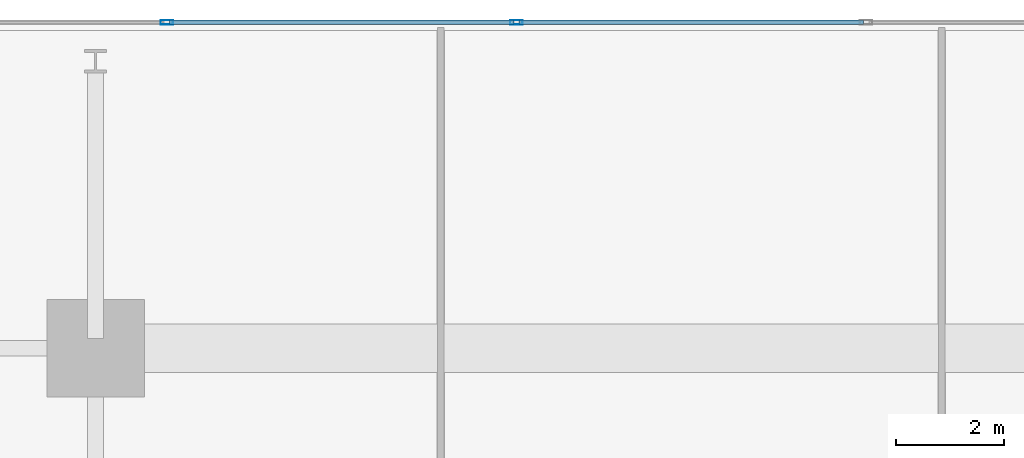
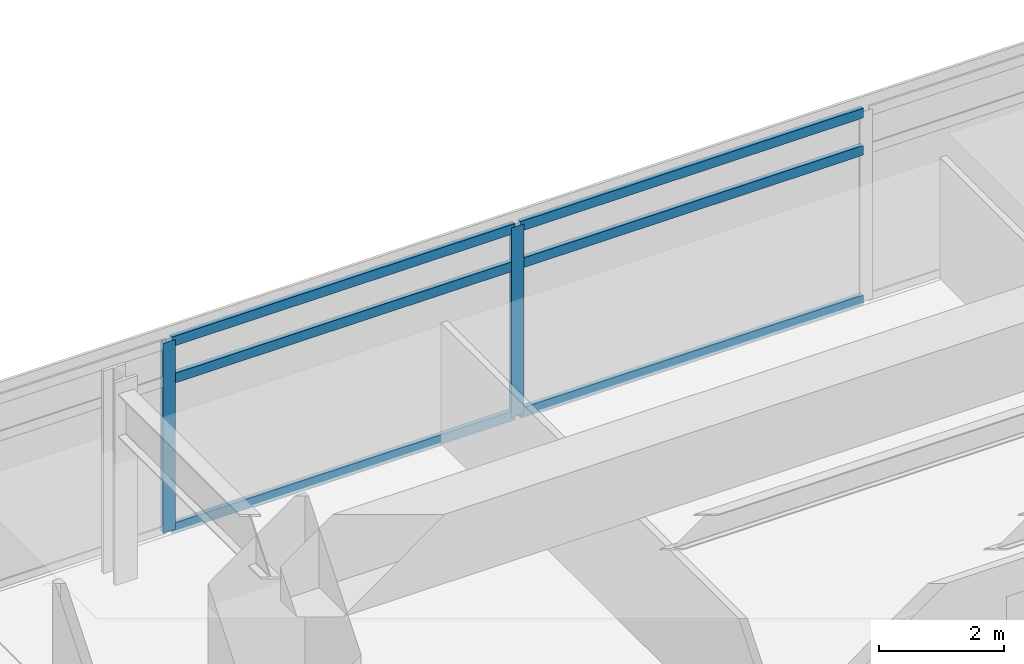
# One storey, part 11 of 22: 8 members, 1 element without a shape of its own.
"""IFC4 building model written with IfcOpenShell, lengths in metres."""

import ifcopenshell
import ifcopenshell.guid

model = None  # the IFC model being written
_history = None  # IfcOwnerHistory: only IFC2X3 demands one
_inside = {}  # id of a spatial element -> (the spatial element, [elements in it])
_under = {}  # id of a project, library or spatial element -> (it, [spatial elements below it])
_declared = {}  # id of a project -> (the project, [libraries it declares])
_typed = {}  # id of a type object -> (the type object, [elements of that type])
_made_of = {}  # id of a material, layer set ... -> (it, [elements and type objects made of it])


def new_model(schema):
    """Start an empty IFC model of exactly this schema.

    Asked for "IFC4X3", IfcOpenShell would pick the latest addendum, in which some entities
    have other attributes; the version numbers below select the first issue.
    IFC2X3 requires an IfcOwnerHistory on every rooted entity: one is made here for all.
    """
    global model, _history
    if schema == "IFC4X3":
        model = ifcopenshell.file(schema_version=(4, 3, 0, 0))
    else:
        model = ifcopenshell.file(schema=schema)
    _inside.clear()
    _under.clear()
    _declared.clear()
    _typed.clear()
    _made_of.clear()
    _history = None
    if model.schema == "IFC2X3":
        org = make("IfcOrganization", Name="unknown")
        user = make(
            "IfcPersonAndOrganization",
            ThePerson=make("IfcPerson", FamilyName="unknown"),
            TheOrganization=org,
        )
        app = make(
            "IfcApplication",
            ApplicationDeveloper=org,
            Version="unknown",
            ApplicationFullName="unknown",
            ApplicationIdentifier="unknown",
        )
        _history = make(
            "IfcOwnerHistory",
            OwningUser=user,
            OwningApplication=app,
            ChangeAction="ADDED",
            CreationDate=0,
        )
    return model


def make(cls, **values):
    """One entity of the class cls with the attributes given. An attribute that is None is left unset."""
    return model.create_entity(
        cls, **{name: value for name, value in values.items() if value is not None}
    )


def rooted(cls, **values):
    """An entity with a GlobalId (a new one), such as an element, a storey or a relation."""
    return make(cls, GlobalId=ifcopenshell.guid.new(), OwnerHistory=_history, **values)


def si_unit(unit_type, name, prefix=None):
    """IfcSIUnit, for example si_unit("LENGTHUNIT", "METRE", prefix="MILLI")."""
    return make("IfcSIUnit", UnitType=unit_type, Prefix=prefix, Name=name)


def assignment(units):
    """IfcUnitAssignment: the units of a project."""
    return None if units is None else make("IfcUnitAssignment", Units=units)


def point(xyz):
    """IfcCartesianPoint."""
    return None if xyz is None else make("IfcCartesianPoint", Coordinates=xyz)


def direction(xyz):
    """IfcDirection."""
    return None if xyz is None else make("IfcDirection", DirectionRatios=xyz)


def frame(location, z_axis=None, x_axis=None):
    """IfcAxis2Placement3D, a coordinate frame: its origin and axes. An axis left out is left unset."""
    return make(
        "IfcAxis2Placement3D",
        Location=point(location),
        Axis=direction(z_axis),
        RefDirection=direction(x_axis),
    )


def frame_2d(location, x_axis=None):
    """IfcAxis2Placement2D, a coordinate frame in the plane: its origin and x axis."""
    return make(
        "IfcAxis2Placement2D", Location=point(location), RefDirection=direction(x_axis)
    )


def origin():
    """The frame at (0, 0, 0) with its axes left unset."""
    return frame((0.0, 0.0, 0.0))


def origin_2d():
    """The frame at (0, 0) in the plane with its x axis left unset."""
    return frame_2d((0.0, 0.0))


def place(relative_to, where):
    """IfcLocalPlacement: puts the frame where relative to a parent placement (None: the world)."""
    return make(
        "IfcLocalPlacement", PlacementRelTo=relative_to, RelativePlacement=where
    )


def context(
    kind, dimensions, precision=None, world=None, true_north=None, identifier=None
):
    """IfcGeometricRepresentationContext, for example the 3D "Model" context."""
    return make(
        "IfcGeometricRepresentationContext",
        ContextIdentifier=identifier,
        ContextType=kind,
        CoordinateSpaceDimension=dimensions,
        Precision=precision,
        WorldCoordinateSystem=world,
        TrueNorth=true_north,
    )


def subcontext(parent, identifier, kind, view, scale=None):
    """IfcGeometricRepresentationSubContext, for example "Body" below "Model"."""
    return make(
        "IfcGeometricRepresentationSubContext",
        ContextIdentifier=identifier,
        ContextType=kind,
        ParentContext=parent,
        TargetScale=scale,
        TargetView=view,
    )


def project(units=None, contexts=None):
    """IfcProject with its units and contexts."""
    return rooted(
        "IfcProject",
        Name="project",
        RepresentationContexts=contexts,
        UnitsInContext=assignment(units),
    )


def spatial(cls, under=None, at=None, **own):
    """A site, building, storey or space (cls), placed at a placement, below another one or the project."""
    s = rooted(cls, ObjectPlacement=at, **own)
    if under is not None:
        _under.setdefault(under.id(), (under, []))[1].append(s)
    return s


def profile(cls, at=None, kind="AREA", **sizes):
    """A parametric profile (cls). Its sizes go by their IFC names, for example OverallWidth=200.0."""
    return make(cls, ProfileType=kind, Position=at, **sizes)


def hollow_rectangle(**sizes):
    """IfcRectangleHollowProfileDef."""
    return profile("IfcRectangleHollowProfileDef", **sizes)


def extrude(swept, where, along, depth):
    """IfcExtrudedAreaSolid: the profile swept, set in the frame where, extruded along a direction by depth."""
    return make(
        "IfcExtrudedAreaSolid",
        SweptArea=swept,
        Position=where,
        ExtrudedDirection=direction(along),
        Depth=depth,
    )


def shape(context_of_items, identifier, shape_type, items):
    """IfcShapeRepresentation: the items that make up one representation, for example the "Body"."""
    return make(
        "IfcShapeRepresentation",
        ContextOfItems=context_of_items,
        RepresentationIdentifier=identifier,
        RepresentationType=shape_type,
        Items=items,
    )


def material(Name=None, Category=None):
    """IfcMaterial."""
    return make("IfcMaterial", Name=Name, Category=Category)


def material_profile(
    of_material, cross_section, Name=None, Category=None, Priority=None
):
    """IfcMaterialProfile: a cross section and its material."""
    return make(
        "IfcMaterialProfile",
        Name=Name,
        Material=of_material,
        Profile=cross_section,
        Priority=Priority,
        Category=Category,
    )


def profile_set(profiles, Name=None, composite=None):
    """IfcMaterialProfileSet."""
    return make(
        "IfcMaterialProfileSet",
        Name=Name,
        MaterialProfiles=profiles,
        CompositeProfile=composite,
    )


def made_of(thing, what):
    """Note that an element or type object is made of a material, layer set ...; save() writes the relation."""
    if what is not None:
        _made_of.setdefault(what.id(), (what, []))[1].append(thing)
    return thing


def type_object(cls, material=None, **own):
    """A type object (cls), such as IfcWallType, which elements share."""
    return made_of(rooted(cls, **own), material)


def element(
    cls,
    number,
    at=None,
    inside=None,
    cuts=None,
    type_object=None,
    material=None,
    context=None,
    identifier="Body",
    shape_type=None,
    held_by="IfcProductDefinitionShape",
    body=None,
    shapes=None,
    **own,
):
    """One element of the class cls, such as IfcWall. Its Tag is "e" and its number.

    at: its placement. inside: the storey or other place that contains it. cuts: it is an
    opening in that element (IfcRelVoidsElement). A single representation is given by context,
    identifier, shape_type and body (its items); several are given by shapes. held_by: the class
    of the entity that holds the representations. save() writes the other relations.
    """
    e = rooted(cls, Tag="e%d" % number, ObjectPlacement=at, **own)
    if body is not None:
        shapes = [shape(context, identifier, shape_type, body)]
    if shapes is not None:
        e.Representation = make(held_by, Representations=shapes)
    if inside is not None:
        _inside.setdefault(inside.id(), (inside, []))[1].append(e)
    if cuts is not None:
        rooted(
            "IfcRelVoidsElement", RelatingBuildingElement=cuts, RelatedOpeningElement=e
        )
    if type_object is not None:
        _typed.setdefault(type_object.id(), (type_object, []))[1].append(e)
    return made_of(e, material)


def aggregate(whole, parts):
    """IfcRelAggregates: a whole, such as a stair, and the parts it consists of."""
    return rooted("IfcRelAggregates", RelatingObject=whole, RelatedObjects=parts)


def save(model, path):
    """Write the relations noted so far, then the file.

    IfcRelAggregates (storeys below a building ...), IfcRelContainedInSpatialStructure (elements
    in a storey), IfcRelDefinesByType, IfcRelAssociatesMaterial and IfcRelDeclares: one each for
    every whole, place, type object, material and project.
    """
    for whole, parts in _under.values():
        aggregate(whole, parts)
    for where, things in _inside.values():
        rooted(
            "IfcRelContainedInSpatialStructure",
            RelatedElements=things,
            RelatingStructure=where,
        )
    for kind, things in _typed.values():
        rooted("IfcRelDefinesByType", RelatedObjects=things, RelatingType=kind)
    for what, things in _made_of.values():
        rooted("IfcRelAssociatesMaterial", RelatedObjects=things, RelatingMaterial=what)
    for by, libraries in _declared.values():
        rooted("IfcRelDeclares", RelatingContext=by, RelatedDefinitions=libraries)
    model.write(path)


model = new_model("IFC4")

# Units and contexts
model_context = context("Model", 3, precision=1e-05, world=origin(), true_north=direction((0.0, 1.0)))
body_context = subcontext(model_context, "Body", "Model", "MODEL_VIEW")
ifc_project = project(units=[si_unit("LENGTHUNIT", "METRE"), si_unit("AREAUNIT", "SQUARE_METRE"), si_unit("VOLUMEUNIT", "CUBIC_METRE"), si_unit("PLANEANGLEUNIT", "RADIAN"), si_unit("MASSUNIT", "GRAM", prefix="KILO")], contexts=[model_context])

# Site, building, storey
site_placement = place(None, origin())
site = spatial("IfcSite", under=ifc_project, at=site_placement, CompositionType="ELEMENT")
building_placement = place(site_placement, origin())
building = spatial("IfcBuilding", under=site, at=building_placement, Name="Kovane Verandah Tower", CompositionType="ELEMENT")
storey_placement = place(building_placement, frame((0.0, 0.0, 99.60009765625)))
storey = spatial("IfcBuildingStorey", under=building, at=storey_placement, Name="L23", CompositionType="ELEMENT", Elevation=99.60009765625)

# Curtain wall, members
ifc_material_1 = material(Name="Champagne Anodised Aluminium Frame with Low-E Clear Laminated Glass", Category="aluminium")
curtain_wall_type = type_object("IfcCurtainWallType", Name="CW-SYS-02-LOW", PredefinedType="NOTDEFINED", material=ifc_material_1)
curtain_wall_placement = place(storey_placement, origin())
curtain_wall = element("IfcCurtainWall", 1, at=curtain_wall_placement, inside=storey, type_object=curtain_wall_type, Name="L23 N Unitised Curtain Wall", PredefinedType="NOTDEFINED")
ifc_material_2 = material(Name="Champagne Anodised Aluminium 6063-T6", Category="aluminium")
ifc_material_profile_1 = material_profile(ifc_material_2, hollow_rectangle(XDim=0.0849609375, YDim=0.22998046875, WallThickness=0.00390625, at=origin_2d()), Name="AL85x230x4")
ifc_profile_set_1 = profile_set([ifc_material_profile_1], Name="Champagne Anodised Aluminium 6063-T6")
member_type_1 = type_object("IfcMemberType", Name="CW-MUL-85x230", PredefinedType="MULLION", material=ifc_profile_set_1)
member_1_placement = place(storey_placement, frame((36.771484375, 50.218994140625, 0.02001953125), z_axis=(0.0, 0.0, 1.0), x_axis=(0.0, 1.0, 0.0)))
member_1 = element("IfcMember", 2, at=member_1_placement, type_object=member_type_1, Name="L23 N Unitised Curtain Wall Mullion 5", PredefinedType="MULLION", context=body_context, shape_type="SweptSolid", body=[
    extrude(hollow_rectangle(XDim=0.0849609375, YDim=0.22998046875, WallThickness=0.00390625, at=origin_2d()), origin(), (0.0, 0.0, 1.0), 3.719970703125),
])
member_2_placement = place(storey_placement, frame((30.31494140625, 50.218994140625, 0.02001953125), z_axis=(0.0, 0.0, 1.0), x_axis=(0.0, 1.0, 0.0)))
member_2 = element("IfcMember", 3, at=member_2_placement, type_object=member_type_1, Name="L23 N Unitised Curtain Wall Mullion 6", PredefinedType="MULLION", context=body_context, shape_type="SweptSolid", body=[
    extrude(hollow_rectangle(XDim=0.0849609375, YDim=0.22998046875, WallThickness=0.00390625, at=origin_2d()), origin(), (0.0, 0.0, 1.0), 3.719970703125),
])
ifc_material_profile_2 = material_profile(ifc_material_2, hollow_rectangle(XDim=0.0849609375, YDim=0.18994140625, WallThickness=0.00390625, at=origin_2d()), Name="AL85x190x4")
ifc_profile_set_2 = profile_set([ifc_material_profile_2], Name="Champagne Anodised Aluminium 6063-T6")
member_type_2 = type_object("IfcMemberType", Name="CW-TRN-85x190", PredefinedType="USERDEFINED", material=ifc_profile_set_2)
member_3_placement = place(storey_placement, frame((43.178466796875, 50.218994140625, 0.0498046875), z_axis=(-1.0, 0.0, 0.0), x_axis=(0.0, -1.0, 0.0)))
member_3 = element("IfcMember", 4, at=member_3_placement, type_object=member_type_2, Name="L23 N Unitised Curtain Wall Transom TB Bay 4", ObjectType="TRANSOM", PredefinedType="USERDEFINED", context=body_context, shape_type="SweptSolid", body=[
    extrude(hollow_rectangle(XDim=0.0849609375, YDim=0.18994140625, WallThickness=0.00390625, at=origin_2d()), origin(), (0.0, 0.0, 1.0), 6.35693359375),
])
member_4_placement = place(storey_placement, frame((43.178466796875, 50.218994140625, 2.97998046875), z_axis=(-1.0, 0.0, 0.0), x_axis=(0.0, -1.0, 0.0)))
member_4 = element("IfcMember", 5, at=member_4_placement, type_object=member_type_2, Name="L23 N Unitised Curtain Wall Transom TM Bay 4", ObjectType="TRANSOM", PredefinedType="USERDEFINED", context=body_context, shape_type="SweptSolid", body=[
    extrude(hollow_rectangle(XDim=0.0849609375, YDim=0.18994140625, WallThickness=0.00390625, at=origin_2d()), origin(), (0.0, 0.0, 1.0), 6.35693359375),
])
member_5_placement = place(storey_placement, frame((43.178466796875, 50.218994140625, 3.7099609375), z_axis=(-1.0, 0.0, 0.0), x_axis=(0.0, -1.0, 0.0)))
member_5 = element("IfcMember", 6, at=member_5_placement, type_object=member_type_2, Name="L23 N Unitised Curtain Wall Transom TT Bay 4", ObjectType="TRANSOM", PredefinedType="USERDEFINED", context=body_context, shape_type="SweptSolid", body=[
    extrude(hollow_rectangle(XDim=0.0849609375, YDim=0.18994140625, WallThickness=0.00390625, at=origin_2d()), origin(), (0.0, 0.0, 1.0), 6.35693359375),
])
member_6_placement = place(storey_placement, frame((36.7216796875, 50.218994140625, 0.0498046875), z_axis=(-1.0, 0.0, 0.0), x_axis=(0.0, -1.0, 0.0)))
member_6 = element("IfcMember", 7, at=member_6_placement, type_object=member_type_2, Name="L23 N Unitised Curtain Wall Transom TB Bay 5", ObjectType="TRANSOM", PredefinedType="USERDEFINED", context=body_context, shape_type="SweptSolid", body=[
    extrude(hollow_rectangle(XDim=0.0849609375, YDim=0.18994140625, WallThickness=0.00390625, at=origin_2d()), origin(), (0.0, 0.0, 1.0), 6.356689453125),
])
member_7_placement = place(storey_placement, frame((36.7216796875, 50.218994140625, 2.97998046875), z_axis=(-1.0, 0.0, 0.0), x_axis=(0.0, -1.0, 0.0)))
member_7 = element("IfcMember", 8, at=member_7_placement, type_object=member_type_2, Name="L23 N Unitised Curtain Wall Transom TM Bay 5", ObjectType="TRANSOM", PredefinedType="USERDEFINED", context=body_context, shape_type="SweptSolid", body=[
    extrude(hollow_rectangle(XDim=0.0849609375, YDim=0.18994140625, WallThickness=0.00390625, at=origin_2d()), origin(), (0.0, 0.0, 1.0), 6.356689453125),
])
member_8_placement = place(storey_placement, frame((36.7216796875, 50.218994140625, 3.7099609375), z_axis=(-1.0, 0.0, 0.0), x_axis=(0.0, -1.0, 0.0)))
member_8 = element("IfcMember", 9, at=member_8_placement, type_object=member_type_2, Name="L23 N Unitised Curtain Wall Transom TT Bay 5", ObjectType="TRANSOM", PredefinedType="USERDEFINED", context=body_context, shape_type="SweptSolid", body=[
    extrude(hollow_rectangle(XDim=0.0849609375, YDim=0.18994140625, WallThickness=0.00390625, at=origin_2d()), origin(), (0.0, 0.0, 1.0), 6.356689453125),
])
aggregate(curtain_wall, [member_1, member_2, member_3, member_4, member_5, member_6, member_7, member_8])

save(model, "model.ifc")
